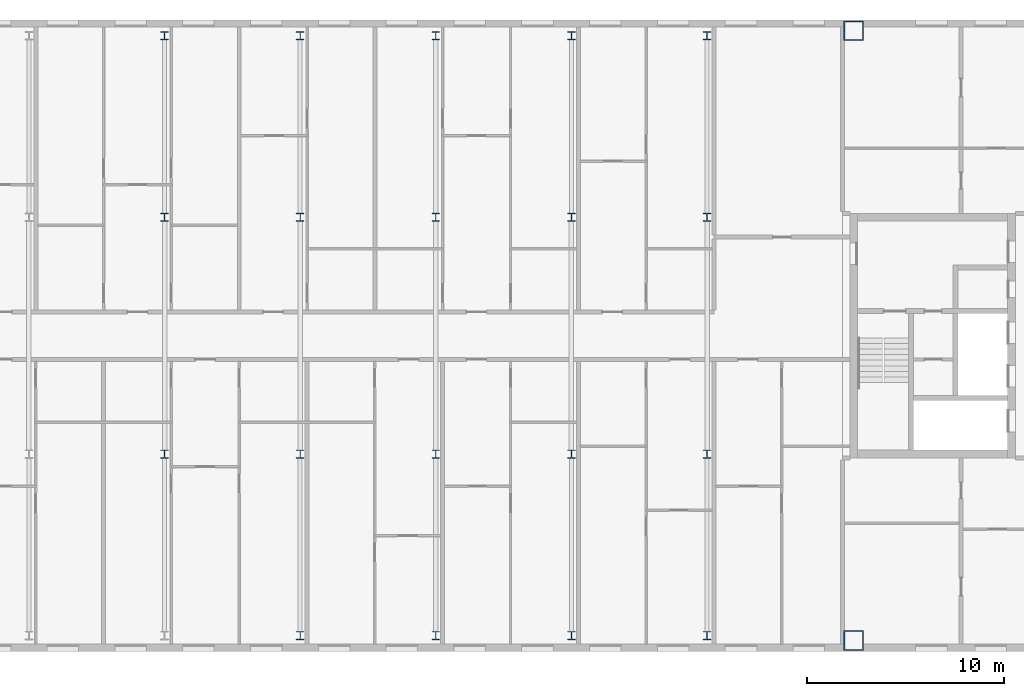
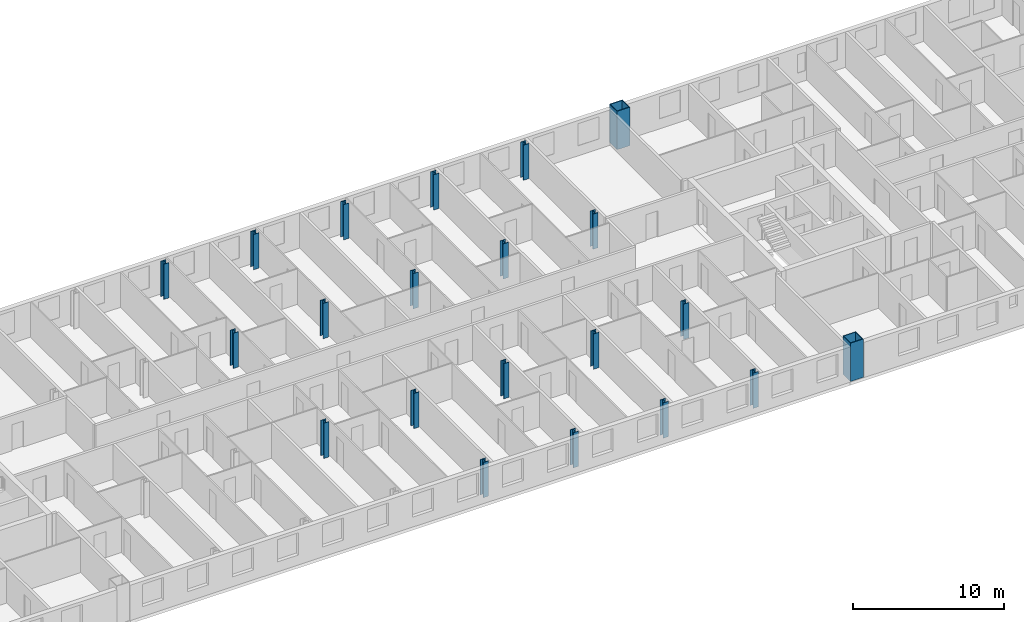
# One storey, part 2 of 19: 21 columns.
"""IFC4 building model written with IfcOpenShell, lengths in metres."""

from ifc_helpers import new_model, si_unit, direction, frame, origin, origin_2d, place, context, subcontext, project, spatial, hollow_rectangle, i_section, extrude, material, material_profile, profile_set, type_object, element, save


model = new_model("IFC4")

# Units and contexts
model_context = context("Model", 3, precision=1e-05, world=origin(), true_north=direction((0.0, 1.0)))
body_context = subcontext(model_context, "Body", "Model", "MODEL_VIEW")
ifc_project = project(units=[si_unit("LENGTHUNIT", "METRE"), si_unit("AREAUNIT", "SQUARE_METRE"), si_unit("VOLUMEUNIT", "CUBIC_METRE"), si_unit("PLANEANGLEUNIT", "RADIAN"), si_unit("MASSUNIT", "GRAM", prefix="KILO")], contexts=[model_context])

# Site, building, storey
site_placement = place(None, origin())
site = spatial("IfcSite", under=ifc_project, at=site_placement, CompositionType="ELEMENT")
building_placement = place(site_placement, origin())
building = spatial("IfcBuilding", under=site, at=building_placement, Name="Tuart Gate Housing", CompositionType="ELEMENT")
storey_placement = place(building_placement, frame((0.0, 0.0, 224.5)))
storey = spatial("IfcBuildingStorey", under=building, at=storey_placement, Name="L63", CompositionType="ELEMENT", Elevation=224.5)

# Columns
ifc_material_1 = material(Name="Steel Grade 350", Category="steel")
ifc_material_profile_1 = material_profile(ifc_material_1, i_section(OverallWidth=0.39990234375, OverallDepth=0.429931640625, WebThickness=0.0400390625, FlangeThickness=0.0400390625, at=origin_2d()), Name="400WC361")
ifc_profile_set_1 = profile_set([ifc_material_profile_1], Name="Steel Grade 350")
column_type_1 = type_object("IfcColumnType", Name="Link column 400 WC361", PredefinedType="COLUMN", material=ifc_profile_set_1)
for number, where, z_axis, x_axis, name in (
    (1, (103.5, 54.800048828125, 0.0), (0.0, 0.0, 1.0), (1.0, 0.0, 0.0), "Link column line 1 point 4 L63"),
    (2, (110.375, 54.800048828125, 0.0), (0.0, 0.0, 1.0), (1.0, 0.0, 0.0), "Link column line 1 point 5 L63"),
    (3, (117.25, 54.800048828125, 0.0), (0.0, 0.0, 1.0), (1.0, 0.0, 0.0), "Link column line 1 point 6 L63"),
    (4, (124.125, 54.800048828125, 0.0), (0.0, 0.0, 1.0), (1.0, 0.0, 0.0), "Link column line 1 point 7 L63"),
    (5, (96.625, 64.0, 0.0), (0.0, 0.0, 1.0), (1.0, 0.0, 0.0), "Link column line 2 point 3 L63"),
    (6, (103.5, 64.0, 0.0), (0.0, 0.0, 1.0), (1.0, 0.0, 0.0), "Link column line 2 point 4 L63"),
    (7, (110.375, 64.0, 0.0), (0.0, 0.0, 1.0), (1.0, 0.0, 0.0), "Link column line 2 point 5 L63"),
    (8, (117.25, 64.0, 0.0), (0.0, 0.0, 1.0), (1.0, 0.0, 0.0), "Link column line 2 point 6 L63"),
    (9, (124.125, 64.0, 0.0), (0.0, 0.0, 1.0), (1.0, 0.0, 0.0), "Link column line 2 point 7 L63"),
    (10, (96.625, 76.0, 0.0), (0.0, 0.0, 1.0), (1.0, 0.0, 0.0), "Link column line 3 point 3 L63"),
    (11, (103.5, 76.0, 0.0), (0.0, 0.0, 1.0), (1.0, 0.0, 0.0), "Link column line 3 point 4 L63"),
    (12, (110.375, 76.0, 0.0), (0.0, 0.0, 1.0), (1.0, 0.0, 0.0), "Link column line 3 point 5 L63"),
    (13, (117.25, 76.0, 0.0), (0.0, 0.0, 1.0), (1.0, 0.0, 0.0), "Link column line 3 point 6 L63"),
    (14, (124.125, 76.0, 0.0), (0.0, 0.0, 1.0), (1.0, 0.0, 0.0), "Link column line 3 point 7 L63"),
    (15, (96.625, 85.199951171875, 0.0), (0.0, 0.0, 1.0), (1.0, 0.0, 0.0), "Link column line 4 point 3 L63"),
    (16, (103.5, 85.199951171875, 0.0), (0.0, 0.0, 1.0), (1.0, 0.0, 0.0), "Link column line 4 point 4 L63"),
    (17, (110.375, 85.199951171875, 0.0), (0.0, 0.0, 1.0), (1.0, 0.0, 0.0), "Link column line 4 point 5 L63"),
    (18, (117.25, 85.199951171875, 0.0), (0.0, 0.0, 1.0), (1.0, 0.0, 0.0), "Link column line 4 point 6 L63"),
    (19, (124.125, 85.199951171875, 0.0), (0.0, 0.0, 1.0), (1.0, 0.0, 0.0), "Link column line 4 point 7 L63"),
):
    element("IfcColumn", number, at=place(storey_placement, frame(where, z_axis=z_axis, x_axis=x_axis)), inside=storey, type_object=column_type_1, Name=name, PredefinedType="COLUMN", context=body_context, shape_type="SweptSolid", body=[
        extrude(i_section(OverallWidth=0.39990234375, OverallDepth=0.429931640625, WebThickness=0.0400390625, FlangeThickness=0.0400390625, at=origin_2d()), origin(), (0.0, 0.0, 1.0), 2.85009765625),
    ])
ifc_material_2 = material(Name="Steel Grade 350", Category="steel")
ifc_material_profile_2 = material_profile(ifc_material_2, hollow_rectangle(XDim=1.0, YDim=1.0, WallThickness=0.054931640625, at=origin_2d()), Name="BOX 1000x1000x55")
ifc_profile_set_2 = profile_set([ifc_material_profile_2], Name="Steel Grade 350")
column_type_2 = type_object("IfcColumnType", Name="Mega column BOX 1000x1000x55", PredefinedType="COLUMN", material=ifc_profile_set_2)
for number, where, z_axis, x_axis, name in (
    (20, (131.550048828125, 54.550048828125, 0.0), (0.0, 0.0, 1.0), (1.0, 0.0, 0.0), "Mega column B south-west L63"),
    (21, (131.550048828125, 85.449951171875, 0.0), (0.0, 0.0, 1.0), (1.0, 0.0, 0.0), "Mega column B north-west L63"),
):
    element("IfcColumn", number, at=place(storey_placement, frame(where, z_axis=z_axis, x_axis=x_axis)), inside=storey, type_object=column_type_2, Name=name, PredefinedType="COLUMN", context=body_context, shape_type="SweptSolid", body=[
        extrude(hollow_rectangle(XDim=1.0, YDim=1.0, WallThickness=0.054931640625, at=origin_2d()), origin(), (0.0, 0.0, 1.0), 3.10009765625),
    ])

save(model, "model.ifc")
